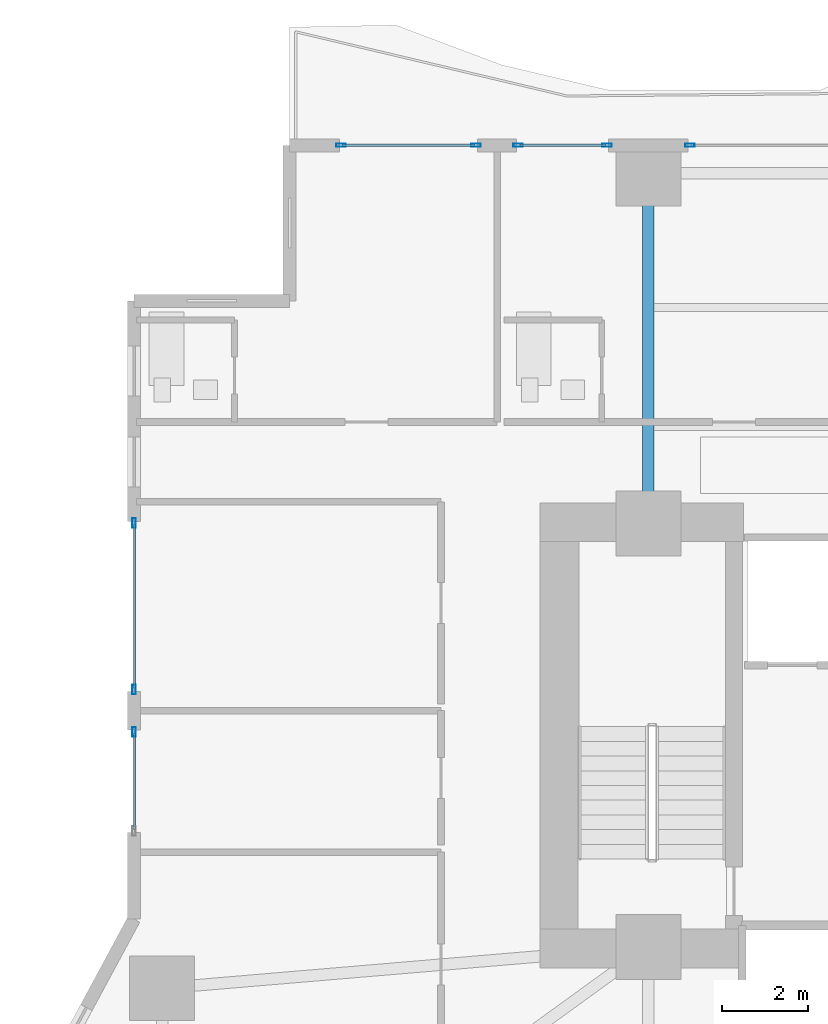
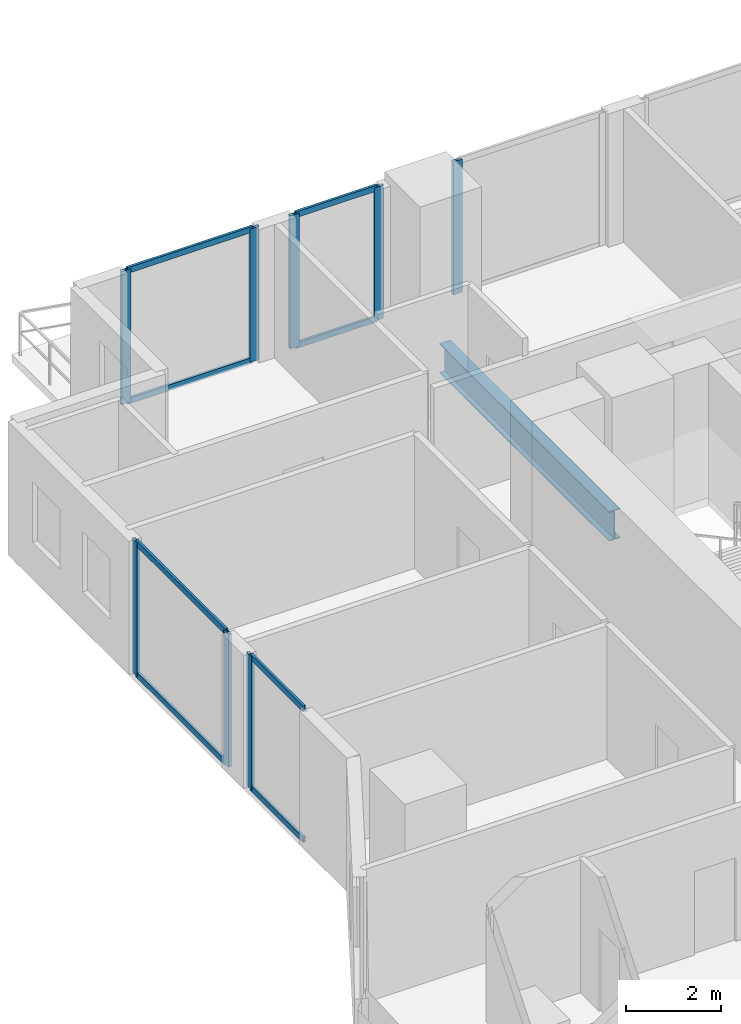
# One storey, part 13 of 29: 16 members, 1 beam, 5 elements without a shape of their own.
"""IFC4 building model written with IfcOpenShell, lengths in metres."""

from ifc_helpers import new_model, si_unit, direction, frame, origin, origin_2d, place, context, subcontext, project, spatial, hollow_rectangle, i_section, extrude, material, layer, layer_set, material_profile, profile_set, type_object, element, aggregate, save


model = new_model("IFC4")

# Units and contexts
model_context = context("Model", 3, precision=1e-05, world=origin(), true_north=direction((0.0, 1.0)))
body_context = subcontext(model_context, "Body", "Model", "MODEL_VIEW")
ifc_project = project(units=[si_unit("LENGTHUNIT", "METRE"), si_unit("AREAUNIT", "SQUARE_METRE"), si_unit("VOLUMEUNIT", "CUBIC_METRE"), si_unit("PLANEANGLEUNIT", "RADIAN"), si_unit("MASSUNIT", "GRAM", prefix="KILO")], contexts=[model_context])

# Site, building, storey
site_placement = place(None, origin())
site = spatial("IfcSite", under=ifc_project, at=site_placement, CompositionType="ELEMENT")
building_placement = place(site_placement, origin())
building = spatial("IfcBuilding", under=site, at=building_placement, Name="Zuhayl Quay Hotel", CompositionType="ELEMENT")
storey_placement = place(building_placement, frame((0.0, 0.0, 45.85009765625)))
storey = spatial("IfcBuildingStorey", under=building, at=storey_placement, Name="L10", CompositionType="ELEMENT", Elevation=45.85009765625)

# Beam
ifc_material_1 = material(Name="Steel ASTM A992 Grade 50", Category="steel")
ifc_material_profile_1 = material_profile(ifc_material_1, i_section(OverallWidth=0.26708984375, OverallDepth=0.761962890625, WebThickness=0.014404296875, FlangeThickness=0.021484375, at=origin_2d()), Name="W30X116")
ifc_profile_set_1 = profile_set([ifc_material_profile_1], Name="Steel ASTM A992 Grade 50")
beam_type = type_object("IfcBeamType", Name="BM_B1_W30X116", PredefinedType="BEAM", material=ifc_profile_set_1)
beam_placement = place(storey_placement, frame((-13.800048828125, 14.800048828125, -0.60107421875), z_axis=(0.0, 1.0, 0.0), x_axis=(-1.0, 0.0, 0.0)))
element("IfcBeam", 1, at=beam_placement, inside=storey, type_object=beam_type, Name="L10 Floor Beam FG_N_L10_1", PredefinedType="BEAM", context=body_context, shape_type="SweptSolid", body=[
    extrude(i_section(OverallWidth=0.26708984375, OverallDepth=0.761962890625, WebThickness=0.014404296875, FlangeThickness=0.021484375, at=origin_2d()), origin(), (0.0, 0.0, 1.0), 7.14990234375),
])

# Curtain wall, member
ifc_material_2 = material(Name="Anodised Aluminium 6063-T6", Category="aluminium")
ifc_layer = layer(ifc_material_2, 0.18994140625, Name="Anodised Aluminium 6063-T6", Category="aluminium")
ifc_layer_set = layer_set([ifc_layer], Name="Anodised Aluminium 6063-T6")
curtain_wall_type = type_object("IfcCurtainWallType", Name="CW_SYS_Z1", PredefinedType="USERDEFINED", material=ifc_layer_set)
curtain_wall_1_placement = place(storey_placement, origin())
curtain_wall_1 = element("IfcCurtainWall", 2, at=curtain_wall_1_placement, inside=storey, type_object=curtain_wall_type, Name="L10 Curtain Wall ENV_L10_E05_CW1", ObjectType="UNITISED CURTAIN WALL", PredefinedType="USERDEFINED")
ifc_material_3 = material(Name="Black-anodised aluminium 6063-T6", Category="aluminium")
ifc_material_profile_2 = material_profile(ifc_material_3, hollow_rectangle(XDim=0.074951171875, YDim=0.219970703125, WallThickness=0.00390625, at=origin_2d()), Name="ALU220X75")
ifc_profile_set_2 = profile_set([ifc_material_profile_2], Name="Black-anodised aluminium 6063-T6")
member_type_1 = type_object("IfcMemberType", Name="MB_CW_MUL_220", PredefinedType="MULLION", material=ifc_profile_set_2)
member_1_placement = place(storey_placement, frame((-25.699951171875, 9.532470703125, 0.0), z_axis=(0.0, 0.0, 1.0), x_axis=(-1.0, 0.0, 0.0)))
member_1 = element("IfcMember", 3, at=member_1_placement, type_object=member_type_1, Name="CW-Z1 mullion 2", PredefinedType="MULLION", context=body_context, shape_type="SweptSolid", body=[
    extrude(hollow_rectangle(XDim=0.074951171875, YDim=0.219970703125, WallThickness=0.00390625, at=origin_2d()), origin(), (0.0, 0.0, 1.0), 3.429931640625),
])

# Curtain wall, members
curtain_wall_2_placement = place(storey_placement, origin())
curtain_wall_2 = element("IfcCurtainWall", 4, at=curtain_wall_2_placement, inside=storey, type_object=curtain_wall_type, Name="L10 Curtain Wall ENV_L10_E05_CW2", ObjectType="UNITISED CURTAIN WALL", PredefinedType="USERDEFINED")
member_2_placement = place(storey_placement, frame((-25.699951171875, 10.507568359375, 0.0), z_axis=(0.0, 0.0, 1.0), x_axis=(-1.0, 0.0, 0.0)))
member_2 = element("IfcMember", 5, at=member_2_placement, type_object=member_type_1, Name="CW-Z1 mullion 1", PredefinedType="MULLION", context=body_context, shape_type="SweptSolid", body=[
    extrude(hollow_rectangle(XDim=0.074951171875, YDim=0.219970703125, WallThickness=0.00390625, at=origin_2d()), origin(), (0.0, 0.0, 1.0), 3.429931640625),
])
member_3_placement = place(storey_placement, frame((-25.699951171875, 14.362548828125, 0.0), z_axis=(0.0, 0.0, 1.0), x_axis=(-1.0, 0.0, 0.0)))
member_3 = element("IfcMember", 6, at=member_3_placement, type_object=member_type_1, Name="CW-Z1 mullion 2", PredefinedType="MULLION", context=body_context, shape_type="SweptSolid", body=[
    extrude(hollow_rectangle(XDim=0.074951171875, YDim=0.219970703125, WallThickness=0.00390625, at=origin_2d()), origin(), (0.0, 0.0, 1.0), 3.429931640625),
])

curtain_wall_3_placement = place(storey_placement, origin())
curtain_wall_3 = element("IfcCurtainWall", 7, at=curtain_wall_3_placement, inside=storey, type_object=curtain_wall_type, Name="L10 Curtain Wall ENV_L10_N_CW1", ObjectType="UNITISED CURTAIN WALL", PredefinedType="USERDEFINED")
member_4_placement = place(storey_placement, frame((-20.91259765625, 23.10009765625, 0.0), z_axis=(0.0, 0.0, 1.0), x_axis=(0.0, 1.0, 0.0)))
member_4 = element("IfcMember", 8, at=member_4_placement, type_object=member_type_1, Name="CW-Z1 mullion 1", PredefinedType="MULLION", context=body_context, shape_type="SweptSolid", body=[
    extrude(hollow_rectangle(XDim=0.074951171875, YDim=0.219970703125, WallThickness=0.00390625, at=origin_2d()), origin(), (0.0, 0.0, 1.0), 3.429931640625),
])
member_5_placement = place(storey_placement, frame((-17.78759765625, 23.10009765625, 0.0), z_axis=(0.0, 0.0, 1.0), x_axis=(0.0, 1.0, 0.0)))
member_5 = element("IfcMember", 9, at=member_5_placement, type_object=member_type_1, Name="CW-Z1 mullion 2", PredefinedType="MULLION", context=body_context, shape_type="SweptSolid", body=[
    extrude(hollow_rectangle(XDim=0.074951171875, YDim=0.219970703125, WallThickness=0.00390625, at=origin_2d()), origin(), (0.0, 0.0, 1.0), 3.429931640625),
])

curtain_wall_4_placement = place(storey_placement, origin())
curtain_wall_4 = element("IfcCurtainWall", 10, at=curtain_wall_4_placement, inside=storey, type_object=curtain_wall_type, Name="L10 Curtain Wall ENV_L10_N_CW2", ObjectType="UNITISED CURTAIN WALL", PredefinedType="USERDEFINED")
member_6_placement = place(storey_placement, frame((-16.8125, 23.10009765625, 0.0), z_axis=(0.0, 0.0, 1.0), x_axis=(0.0, 1.0, 0.0)))
member_6 = element("IfcMember", 11, at=member_6_placement, type_object=member_type_1, Name="CW-Z1 mullion 1", PredefinedType="MULLION", context=body_context, shape_type="SweptSolid", body=[
    extrude(hollow_rectangle(XDim=0.074951171875, YDim=0.219970703125, WallThickness=0.00390625, at=origin_2d()), origin(), (0.0, 0.0, 1.0), 3.429931640625),
])
member_7_placement = place(storey_placement, frame((-14.757568359375, 23.10009765625, 0.0), z_axis=(0.0, 0.0, 1.0), x_axis=(0.0, 1.0, 0.0)))
member_7 = element("IfcMember", 12, at=member_7_placement, type_object=member_type_1, Name="CW-Z1 mullion 2", PredefinedType="MULLION", context=body_context, shape_type="SweptSolid", body=[
    extrude(hollow_rectangle(XDim=0.074951171875, YDim=0.219970703125, WallThickness=0.00390625, at=origin_2d()), origin(), (0.0, 0.0, 1.0), 3.429931640625),
])

# Curtain wall, member
curtain_wall_5_placement = place(storey_placement, origin())
curtain_wall_5 = element("IfcCurtainWall", 13, at=curtain_wall_5_placement, inside=storey, type_object=curtain_wall_type, Name="L10 Curtain Wall ENV_L10_N_CW3", ObjectType="UNITISED CURTAIN WALL", PredefinedType="USERDEFINED")
member_8_placement = place(storey_placement, frame((-12.842529296875, 23.10009765625, 0.0), z_axis=(0.0, 0.0, 1.0), x_axis=(0.0, 1.0, 0.0)))
member_8 = element("IfcMember", 14, at=member_8_placement, type_object=member_type_1, Name="CW-Z1 mullion 1", PredefinedType="MULLION", context=body_context, shape_type="SweptSolid", body=[
    extrude(hollow_rectangle(XDim=0.074951171875, YDim=0.219970703125, WallThickness=0.00390625, at=origin_2d()), origin(), (0.0, 0.0, 1.0), 3.429931640625),
])
aggregate(curtain_wall_5, [member_8])

# Member
ifc_material_profile_3 = material_profile(ifc_material_3, hollow_rectangle(XDim=0.06005859375, YDim=0.14990234375, WallThickness=0.00341796875, at=origin_2d()), Name="ALU150X60")
ifc_profile_set_3 = profile_set([ifc_material_profile_3], Name="Black-anodised aluminium 6063-T6")
member_type_2 = type_object("IfcMemberType", Name="MB_CW_TRN_150", PredefinedType="USERDEFINED", material=ifc_profile_set_3)
member_9_placement = place(storey_placement, frame((-25.699951171875, 7.27490234375, 0.02978515625), z_axis=(0.0, 1.0, 0.0), x_axis=(-1.0, 0.0, 0.0)))
member_9 = element("IfcMember", 15, at=member_9_placement, type_object=member_type_2, Name="CW-Z1 transom 1.1", ObjectType="TRANSOM", PredefinedType="USERDEFINED", context=body_context, shape_type="SweptSolid", body=[
    extrude(hollow_rectangle(XDim=0.06005859375, YDim=0.14990234375, WallThickness=0.00341796875, at=origin_2d()), origin(), (0.0, 0.0, 1.0), 2.22021484375),
])

member_10_placement = place(storey_placement, frame((-25.699951171875, 7.27490234375, 3.39990234375), z_axis=(0.0, 1.0, 0.0), x_axis=(-1.0, 0.0, 0.0)))
member_10 = element("IfcMember", 16, at=member_10_placement, type_object=member_type_2, Name="CW-Z1 transom 1.2", ObjectType="TRANSOM", PredefinedType="USERDEFINED", context=body_context, shape_type="SweptSolid", body=[
    extrude(hollow_rectangle(XDim=0.06005859375, YDim=0.14990234375, WallThickness=0.00341796875, at=origin_2d()), origin(), (0.0, 0.0, 1.0), 2.22021484375),
])

aggregate(curtain_wall_1, [member_1, member_9, member_10])

member_11_placement = place(storey_placement, frame((-25.699951171875, 10.544921875, 0.02978515625), z_axis=(0.0, 1.0, 0.0), x_axis=(-1.0, 0.0, 0.0)))
member_11 = element("IfcMember", 17, at=member_11_placement, type_object=member_type_2, Name="CW-Z1 transom 1.1", ObjectType="TRANSOM", PredefinedType="USERDEFINED", context=body_context, shape_type="SweptSolid", body=[
    extrude(hollow_rectangle(XDim=0.06005859375, YDim=0.14990234375, WallThickness=0.00341796875, at=origin_2d()), origin(), (0.0, 0.0, 1.0), 3.780029296875),
])

member_12_placement = place(storey_placement, frame((-25.699951171875, 10.544921875, 3.39990234375), z_axis=(0.0, 1.0, 0.0), x_axis=(-1.0, 0.0, 0.0)))
member_12 = element("IfcMember", 18, at=member_12_placement, type_object=member_type_2, Name="CW-Z1 transom 1.2", ObjectType="TRANSOM", PredefinedType="USERDEFINED", context=body_context, shape_type="SweptSolid", body=[
    extrude(hollow_rectangle(XDim=0.06005859375, YDim=0.14990234375, WallThickness=0.00341796875, at=origin_2d()), origin(), (0.0, 0.0, 1.0), 3.780029296875),
])

aggregate(curtain_wall_2, [member_2, member_3, member_11, member_12])

member_13_placement = place(storey_placement, frame((-20.875, 23.10009765625, 0.02978515625), z_axis=(1.0, 0.0, 0.0), x_axis=(0.0, 1.0, 0.0)))
member_13 = element("IfcMember", 19, at=member_13_placement, type_object=member_type_2, Name="CW-Z1 transom 1.1", ObjectType="TRANSOM", PredefinedType="USERDEFINED", context=body_context, shape_type="SweptSolid", body=[
    extrude(hollow_rectangle(XDim=0.06005859375, YDim=0.14990234375, WallThickness=0.00341796875, at=origin_2d()), origin(), (0.0, 0.0, 1.0), 3.050048828125),
])

member_14_placement = place(storey_placement, frame((-20.875, 23.10009765625, 3.39990234375), z_axis=(1.0, 0.0, 0.0), x_axis=(0.0, 1.0, 0.0)))
member_14 = element("IfcMember", 20, at=member_14_placement, type_object=member_type_2, Name="CW-Z1 transom 1.2", ObjectType="TRANSOM", PredefinedType="USERDEFINED", context=body_context, shape_type="SweptSolid", body=[
    extrude(hollow_rectangle(XDim=0.06005859375, YDim=0.14990234375, WallThickness=0.00341796875, at=origin_2d()), origin(), (0.0, 0.0, 1.0), 3.050048828125),
])

aggregate(curtain_wall_3, [member_4, member_5, member_13, member_14])

member_15_placement = place(storey_placement, frame((-16.77490234375, 23.10009765625, 0.02978515625), z_axis=(1.0, 0.0, 0.0), x_axis=(0.0, 1.0, 0.0)))
member_15 = element("IfcMember", 21, at=member_15_placement, type_object=member_type_2, Name="CW-Z1 transom 1.1", ObjectType="TRANSOM", PredefinedType="USERDEFINED", context=body_context, shape_type="SweptSolid", body=[
    extrude(hollow_rectangle(XDim=0.06005859375, YDim=0.14990234375, WallThickness=0.00341796875, at=origin_2d()), origin(), (0.0, 0.0, 1.0), 1.97998046875),
])

member_16_placement = place(storey_placement, frame((-16.77490234375, 23.10009765625, 3.39990234375), z_axis=(1.0, 0.0, 0.0), x_axis=(0.0, 1.0, 0.0)))
member_16 = element("IfcMember", 22, at=member_16_placement, type_object=member_type_2, Name="CW-Z1 transom 1.2", ObjectType="TRANSOM", PredefinedType="USERDEFINED", context=body_context, shape_type="SweptSolid", body=[
    extrude(hollow_rectangle(XDim=0.06005859375, YDim=0.14990234375, WallThickness=0.00341796875, at=origin_2d()), origin(), (0.0, 0.0, 1.0), 1.97998046875),
])

aggregate(curtain_wall_4, [member_6, member_7, member_15, member_16])

save(model, "model.ifc")
